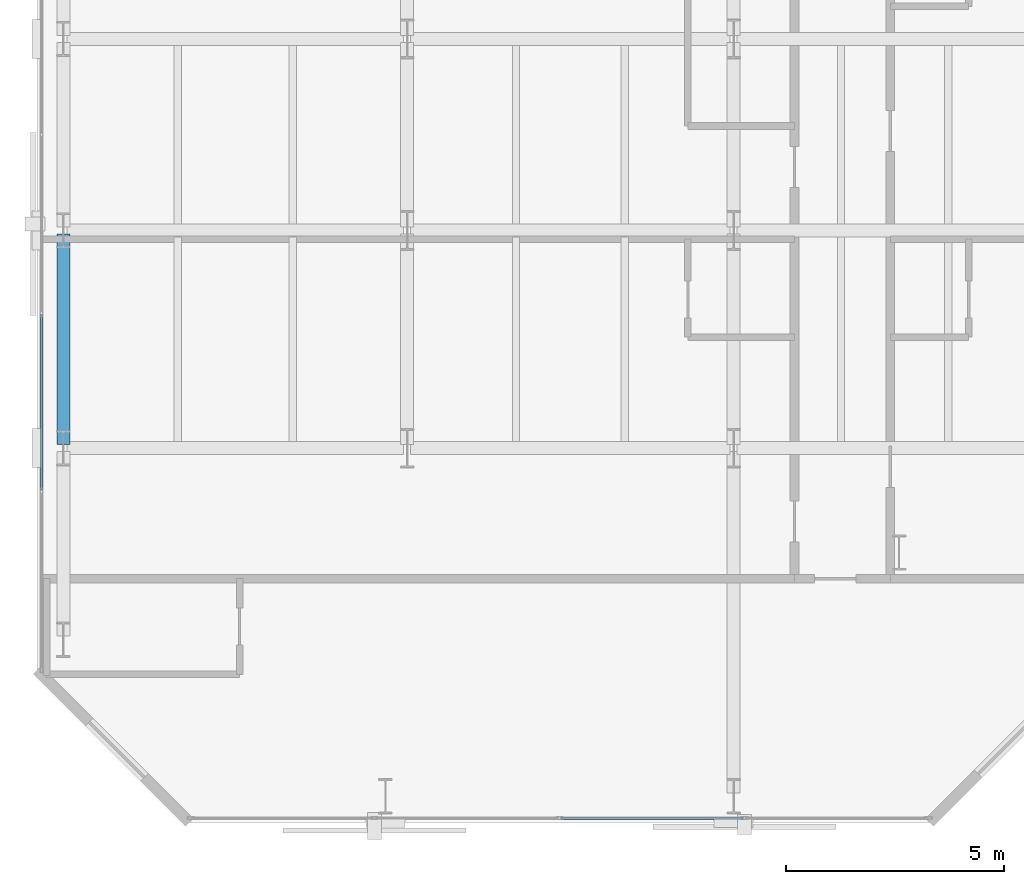
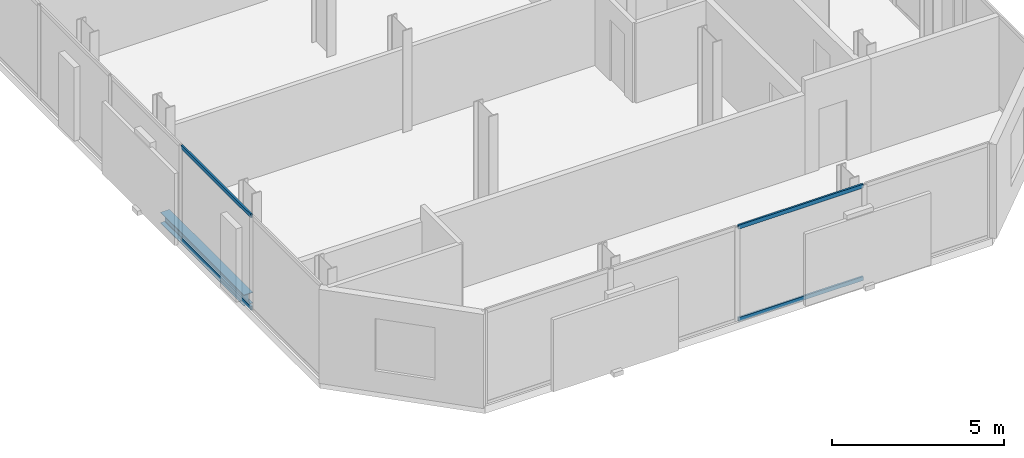
# One storey, part 4 of 33: 4 members, 1 beam, 2 elements without a shape of their own.
"""IFC4 building model written with IfcOpenShell, lengths in metres."""

from ifc_helpers import new_model, si_unit, direction, frame, origin, origin_2d, place, context, subcontext, project, spatial, hollow_rectangle, i_section, extrude, material, layer, layer_set, material_profile, profile_set, type_object, element, aggregate, save


model = new_model("IFC4")

# Units and contexts
model_context = context("Model", 3, precision=1e-05, world=origin(), true_north=direction((0.0, 1.0)))
body_context = subcontext(model_context, "Body", "Model", "MODEL_VIEW")
ifc_project = project(units=[si_unit("LENGTHUNIT", "METRE"), si_unit("AREAUNIT", "SQUARE_METRE"), si_unit("VOLUMEUNIT", "CUBIC_METRE"), si_unit("PLANEANGLEUNIT", "RADIAN"), si_unit("MASSUNIT", "GRAM", prefix="KILO")], contexts=[model_context])

# Site, building, storey
site_placement = place(None, origin())
site = spatial("IfcSite", under=ifc_project, at=site_placement, CompositionType="ELEMENT")
building_placement = place(site_placement, origin())
building = spatial("IfcBuilding", under=site, at=building_placement, Name="Catumbela Crestline Tower", CompositionType="ELEMENT")
storey_placement = place(building_placement, frame((0.0, 0.0, 43.8)))
storey = spatial("IfcBuildingStorey", under=building, at=storey_placement, Name="L10", CompositionType="ELEMENT", Elevation=43.8)

# Beam
ifc_material_1 = material(Name="Structural steel S355J2", Category="steel")
ifc_material_profile_1 = material_profile(ifc_material_1, i_section(OverallWidth=0.3, OverallDepth=0.39, WebThickness=0.011, FlangeThickness=0.019, FilletRadius=0.027, at=origin_2d()), Name="HEA 400")
ifc_profile_set_1 = profile_set([ifc_material_profile_1], Name="Structural steel S355J2")
beam_type = type_object("IfcBeamType", Name="BS-HEA400", PredefinedType="SPANDREL", material=ifc_profile_set_1)
beam_placement = place(storey_placement, frame((0.6, 8.68, -0.455), z_axis=(0.0, 1.0, 0.0), x_axis=(-1.0, 0.0, 0.0)))
element("IfcBeam", 1, at=beam_placement, inside=storey, type_object=beam_type, Name="L10 Spandrel SP-L10-WNS58", PredefinedType="SPANDREL", context=body_context, shape_type="SweptSolid", body=[
    extrude(i_section(OverallWidth=0.3, OverallDepth=0.39, WebThickness=0.011, FlangeThickness=0.019, FilletRadius=0.027, at=origin_2d()), origin(), (0.0, 0.0, 1.0), 4.84),
])

# Curtain wall, members
ifc_material_2 = material(Name="Aluminium alloy AW-6060-T66", Category="aluminium")
ifc_layer = layer(ifc_material_2, 0.18, Name="Aluminium alloy AW-6060-T66")
ifc_layer_set = layer_set([ifc_layer], Name="Aluminium alloy AW-6060-T66")
curtain_wall_type = type_object("IfcCurtainWallType", Name="CWU-Z1", PredefinedType="USERDEFINED", material=ifc_layer_set)
curtain_wall_1_placement = place(storey_placement, origin())
curtain_wall_1 = element("IfcCurtainWall", 2, at=curtain_wall_1_placement, inside=storey, type_object=curtain_wall_type, Name="L10 Unitised Curtain Wall CW-L10-E0S1", ObjectType="UNITISED", PredefinedType="USERDEFINED")
ifc_material_profile_2 = material_profile(ifc_material_2, hollow_rectangle(XDim=0.06, YDim=0.14, WallThickness=0.004, at=origin_2d()), Name="ALU 140x60x4")
ifc_profile_set_2 = profile_set([ifc_material_profile_2], Name="Aluminium alloy AW-6060-T66")
member_type = type_object("IfcMemberType", Name="TRN-140X60", PredefinedType="USERDEFINED", material=ifc_profile_set_2)
member_1_placement = place(storey_placement, frame((12.0325, 0.1, 0.03), z_axis=(1.0, 0.0, 0.0), x_axis=(0.0, 1.0, 0.0)))
member_1 = element("IfcMember", 3, at=member_1_placement, type_object=member_type, Name="CWU-Z1 transom 3.1", ObjectType="TRANSOM", PredefinedType="USERDEFINED", context=body_context, shape_type="SweptSolid", body=[
    extrude(hollow_rectangle(XDim=0.06, YDim=0.14, WallThickness=0.004, at=origin_2d()), origin(), (0.0, 0.0, 1.0), 4.185),
])
member_2_placement = place(storey_placement, frame((12.0325, 0.1, 3.3), z_axis=(1.0, 0.0, 0.0), x_axis=(0.0, 1.0, 0.0)))
member_2 = element("IfcMember", 4, at=member_2_placement, type_object=member_type, Name="CWU-Z1 transom 3.2", ObjectType="TRANSOM", PredefinedType="USERDEFINED", context=body_context, shape_type="SweptSolid", body=[
    extrude(hollow_rectangle(XDim=0.06, YDim=0.14, WallThickness=0.004, at=origin_2d()), origin(), (0.0, 0.0, 1.0), 4.185),
])
aggregate(curtain_wall_1, [member_1, member_2])

curtain_wall_2_placement = place(storey_placement, origin())
curtain_wall_2 = element("IfcCurtainWall", 5, at=curtain_wall_2_placement, inside=storey, type_object=curtain_wall_type, Name="L10 Unitised Curtain Wall CW-L10-E9S1", ObjectType="UNITISED", PredefinedType="USERDEFINED")
member_3_placement = place(storey_placement, frame((0.1, 11.6675, 0.03), z_axis=(0.0, -1.0, 0.0), x_axis=(1.0, 0.0, 0.0)))
member_3 = element("IfcMember", 6, at=member_3_placement, type_object=member_type, Name="CWU-Z1 transom 9.1", ObjectType="TRANSOM", PredefinedType="USERDEFINED", context=body_context, shape_type="SweptSolid", body=[
    extrude(hollow_rectangle(XDim=0.06, YDim=0.14, WallThickness=0.004, at=origin_2d()), origin(), (0.0, 0.0, 1.0), 4.035),
])
member_4_placement = place(storey_placement, frame((0.1, 11.6675, 3.3), z_axis=(0.0, -1.0, 0.0), x_axis=(1.0, 0.0, 0.0)))
member_4 = element("IfcMember", 7, at=member_4_placement, type_object=member_type, Name="CWU-Z1 transom 9.2", ObjectType="TRANSOM", PredefinedType="USERDEFINED", context=body_context, shape_type="SweptSolid", body=[
    extrude(hollow_rectangle(XDim=0.06, YDim=0.14, WallThickness=0.004, at=origin_2d()), origin(), (0.0, 0.0, 1.0), 4.035),
])
aggregate(curtain_wall_2, [member_3, member_4])

save(model, "model.ifc")
